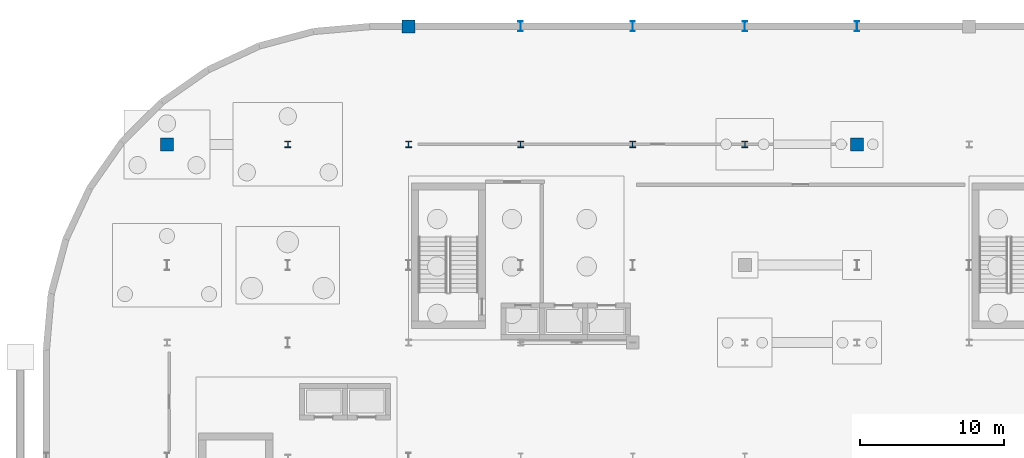
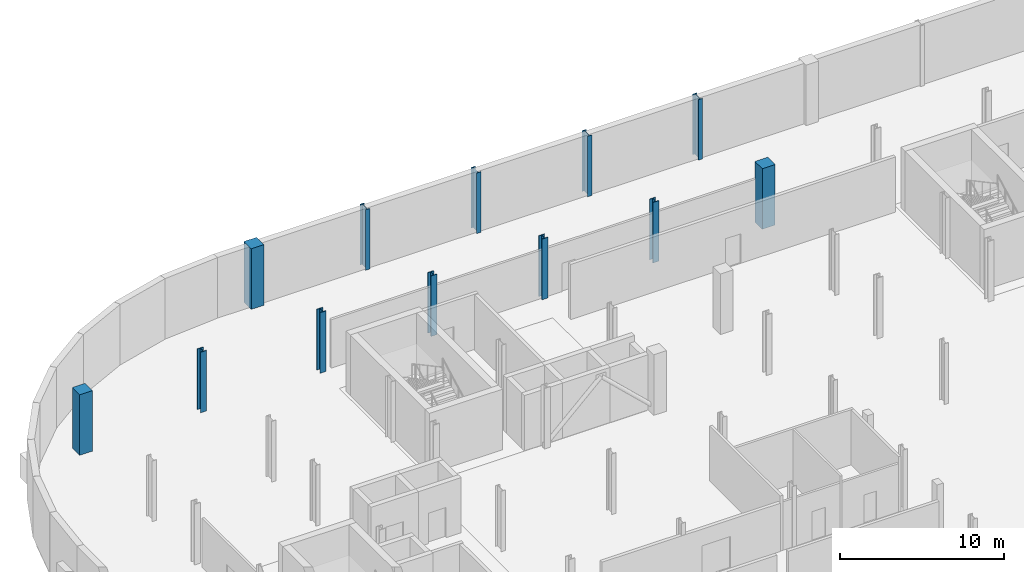
# One storey, part 13 of 45: 12 columns.
"""IFC4 building model written with IfcOpenShell, lengths in metres."""

from ifc_helpers import new_model, si_unit, direction, frame, origin, origin_2d, place, context, subcontext, project, spatial, rectangle, i_section, extrude, material, material_profile, profile_set, type_object, element, save


model = new_model("IFC4")

# Units and contexts
model_context = context("Model", 3, precision=1e-05, world=origin(), true_north=direction((0.0, 1.0)))
body_context = subcontext(model_context, "Body", "Model", "MODEL_VIEW")
ifc_project = project(units=[si_unit("LENGTHUNIT", "METRE"), si_unit("AREAUNIT", "SQUARE_METRE"), si_unit("VOLUMEUNIT", "CUBIC_METRE"), si_unit("PLANEANGLEUNIT", "RADIAN"), si_unit("MASSUNIT", "GRAM", prefix="KILO")], contexts=[model_context])

# Site, building, storey
site_placement = place(None, origin())
site = spatial("IfcSite", under=ifc_project, at=site_placement, CompositionType="ELEMENT")
building_placement = place(site_placement, origin())
building = spatial("IfcBuilding", under=site, at=building_placement, Name="Sefraquen Railside Congress Hotel", CompositionType="ELEMENT")
storey_placement = place(building_placement, frame((0.0, 0.0, -4.5)))
storey = spatial("IfcBuildingStorey", under=building, at=storey_placement, Name="B01", CompositionType="ELEMENT", Elevation=-4.5)

# Columns
ifc_material_1 = material(Name="Steel S355J2", Category="steel")
ifc_material_profile_1 = material_profile(ifc_material_1, i_section(OverallWidth=0.416015625, OverallDepth=0.446044921875, WebThickness=0.035888671875, FlangeThickness=0.048095703125, FilletRadius=0.014892578125, at=origin_2d()), Name="HD 400x509")
ifc_profile_set_1 = profile_set([ifc_material_profile_1], Name="Steel S355J2")
column_type_1 = type_object("IfcColumnType", Name="TC-HD-509", PredefinedType="COLUMN", material=ifc_profile_set_1)
for number, where, z_axis, x_axis, name in (
    (1, (16.800048828125, 109.800048828125, 0.0), (0.0, 0.0, 1.0), (1.0, 0.0, 0.0), "Structural column 3-P B01"),
    (2, (25.199951171875, 109.800048828125, 0.0), (0.0, 0.0, 1.0), (1.0, 0.0, 0.0), "Structural column 4-P B01"),
    (3, (33.0, 109.800048828125, 0.0), (0.0, 0.0, 1.0), (1.0, 0.0, 0.0), "Structural column 5-P B01"),
    (4, (40.800048828125, 109.800048828125, 0.0), (0.0, 0.0, 1.0), (1.0, 0.0, 0.0), "Structural column 6-P B01"),
    (5, (48.60009765625, 109.800048828125, 0.0), (0.0, 0.0, 1.0), (1.0, 0.0, 0.0), "Structural column 7-P B01"),
):
    element("IfcColumn", number, at=place(storey_placement, frame(where, z_axis=z_axis, x_axis=x_axis)), inside=storey, type_object=column_type_1, Name=name, PredefinedType="COLUMN", context=body_context, shape_type="SweptSolid", body=[
        extrude(i_section(OverallWidth=0.416015625, OverallDepth=0.446044921875, WebThickness=0.035888671875, FlangeThickness=0.048095703125, FilletRadius=0.014892578125, at=origin_2d()), origin(), (0.0, 0.0, 1.0), 4.5),
    ])
ifc_material_2 = material(Name="Steel S355JR", Category="steel")
ifc_material_profile_2 = material_profile(ifc_material_2, i_section(OverallWidth=0.300048828125, OverallDepth=0.699951171875, WebThickness=0.01708984375, FlangeThickness=0.031982421875, FilletRadius=0.027099609375, at=origin_2d()), Name="HEB 700")
ifc_profile_set_2 = profile_set([ifc_material_profile_2], Name="Steel S355JR")
column_type_2 = type_object("IfcColumnType", Name="TC-HEB-700", PredefinedType="COLUMN", material=ifc_profile_set_2)
for number, where, z_axis, x_axis, name in (
    (6, (33.0, 118.0, 0.0), (0.0, 0.0, 1.0), (1.0, 0.0, 0.0), "Structural column 5-Q B01"),
    (7, (40.800048828125, 118.0, 0.0), (0.0, 0.0, 1.0), (1.0, 0.0, 0.0), "Structural column 6-Q B01"),
    (8, (48.60009765625, 118.0, 0.0), (0.0, 0.0, 1.0), (1.0, 0.0, 0.0), "Structural column 7-Q B01"),
    (9, (56.39990234375, 118.0, 0.0), (0.0, 0.0, 1.0), (1.0, 0.0, 0.0), "Structural column 8-Q B01"),
):
    element("IfcColumn", number, at=place(storey_placement, frame(where, z_axis=z_axis, x_axis=x_axis)), inside=storey, type_object=column_type_2, Name=name, PredefinedType="COLUMN", context=body_context, shape_type="SweptSolid", body=[
        extrude(i_section(OverallWidth=0.300048828125, OverallDepth=0.699951171875, WebThickness=0.01708984375, FlangeThickness=0.031982421875, FilletRadius=0.027099609375, at=origin_2d()), origin(), (0.0, 0.0, 1.0), 4.5),
    ])
ifc_material_3 = material(Name="Concrete C50/60", Category="concrete")
ifc_material_profile_3 = material_profile(ifc_material_3, rectangle(XDim=0.89990234375, YDim=0.89990234375, at=origin_2d()), Name="RC 900x900")
ifc_profile_set_3 = profile_set([ifc_material_profile_3], Name="Concrete C50/60")
column_type_3 = type_object("IfcColumnType", Name="TC-RC-900", PredefinedType="COLUMN", material=ifc_profile_set_3)
for number, where, z_axis, x_axis, name in (
    (10, (8.39990234375, 109.800048828125, 0.0), (0.0, 0.0, 1.0), (1.0, 0.0, 0.0), "Structural column 2-P B01"),
    (11, (25.199951171875, 118.0, 0.0), (0.0, 0.0, 1.0), (1.0, 0.0, 0.0), "Structural column 4-Q B01"),
    (12, (56.39990234375, 109.800048828125, 0.0), (0.0, 0.0, 1.0), (1.0, 0.0, 0.0), "Structural column 8-P B01"),
):
    element("IfcColumn", number, at=place(storey_placement, frame(where, z_axis=z_axis, x_axis=x_axis)), inside=storey, type_object=column_type_3, Name=name, PredefinedType="COLUMN", context=body_context, shape_type="SweptSolid", body=[
        extrude(rectangle(XDim=0.89990234375, YDim=0.89990234375, at=origin_2d()), origin(), (0.0, 0.0, 1.0), 4.5),
    ])

save(model, "model.ifc")
